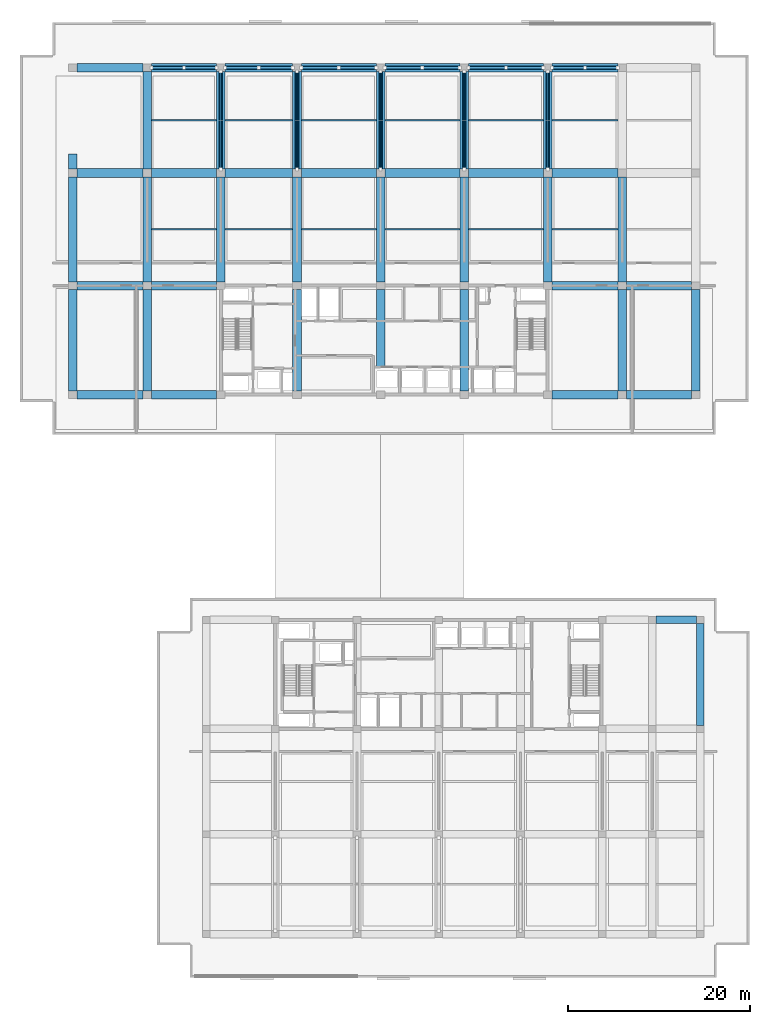
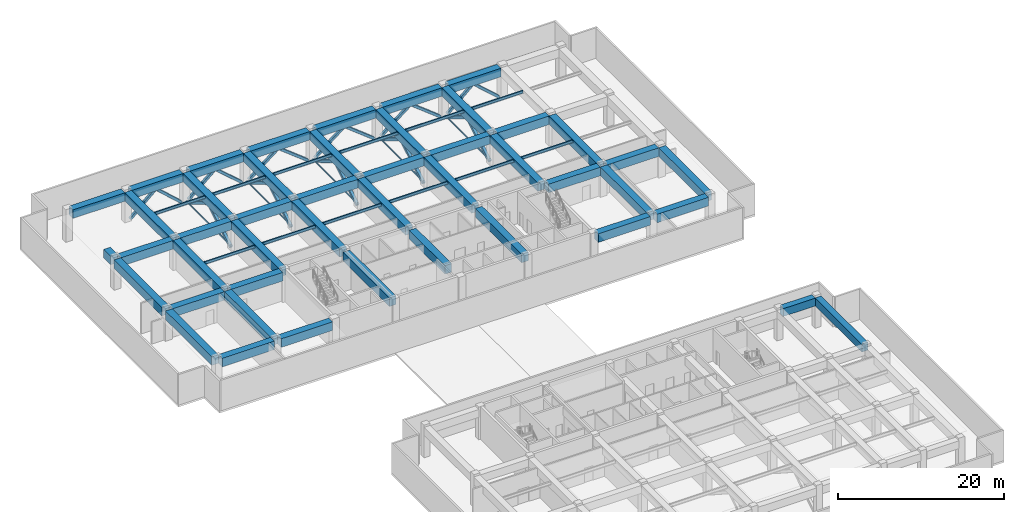
# One storey, part 2 of 22: 58 beams, 27 members.
"""IFC4 building model written with IfcOpenShell, lengths in metres."""

from ifc_helpers import new_model, si_unit, direction, frame, origin, origin_2d, place, context, subcontext, project, spatial, rectangle, hollow_rectangle, i_section, extrude, material, material_profile, profile_set, type_object, element, save


model = new_model("IFC4")

# Units and contexts
model_context = context("Model", 3, precision=1e-05, world=origin(), true_north=direction((0.0, 1.0)))
body_context = subcontext(model_context, "Body", "Model", "MODEL_VIEW")
ifc_project = project(units=[si_unit("LENGTHUNIT", "METRE"), si_unit("AREAUNIT", "SQUARE_METRE"), si_unit("VOLUMEUNIT", "CUBIC_METRE"), si_unit("PLANEANGLEUNIT", "RADIAN"), si_unit("MASSUNIT", "GRAM", prefix="KILO")], contexts=[model_context])

# Site, building, storey
site_placement = place(None, origin())
site = spatial("IfcSite", under=ifc_project, at=site_placement, CompositionType="ELEMENT")
building_placement = place(site_placement, origin())
building = spatial("IfcBuilding", under=site, at=building_placement, Name="Korimba Cascade Residences", CompositionType="ELEMENT")
storey_placement = place(building_placement, frame((0.0, 0.0, 157.300048828125)))
storey = spatial("IfcBuildingStorey", under=building, at=storey_placement, Name="L45", CompositionType="ELEMENT", Elevation=157.300048828125)

# Beams
ifc_material_1 = material(Name="Steel S355", Category="steel")
ifc_material_profile_1 = material_profile(ifc_material_1, i_section(OverallWidth=0.1787109375, OverallDepth=0.409423828125, WebThickness=0.0087890625, FlangeThickness=0.014404296875, FilletRadius=0.01025390625, at=origin_2d()), Name="Steel S355")
ifc_profile_set_1 = profile_set([ifc_material_profile_1], Name="Steel S355")
beam_type_1 = type_object("IfcBeamType", Name="BM-STL-UB406", PredefinedType="JOIST", material=ifc_profile_set_1)
beam_1_placement = place(storey_placement, frame((68.47509765625, 73.39990234375, 4.275146484375), z_axis=(1.0, 0.0, 0.0), x_axis=(0.0, 1.0, 0.0)))
element("IfcBeam", 1, at=beam_1_placement, inside=storey, type_object=beam_type_1, Name="L45 T1 Floor Joist 1.2", PredefinedType="JOIST", context=body_context, shape_type="SweptSolid", body=[
    extrude(i_section(OverallWidth=0.1787109375, OverallDepth=0.409423828125, WebThickness=0.0087890625, FlangeThickness=0.014404296875, FilletRadius=0.01025390625, at=origin_2d()), origin(), (0.0, 0.0, 1.0), 7.14990234375),
])
beam_2_placement = place(storey_placement, frame((76.574951171875, 73.39990234375, 4.275146484375), z_axis=(1.0, 0.0, 0.0), x_axis=(0.0, 1.0, 0.0)))
element("IfcBeam", 2, at=beam_2_placement, inside=storey, type_object=beam_type_1, Name="L45 T1 Floor Joist 1.3", PredefinedType="JOIST", context=body_context, shape_type="SweptSolid", body=[
    extrude(i_section(OverallWidth=0.1787109375, OverallDepth=0.409423828125, WebThickness=0.0087890625, FlangeThickness=0.014404296875, FilletRadius=0.01025390625, at=origin_2d()), origin(), (0.0, 0.0, 1.0), 7.449951171875),
])
for number, where, z_axis, x_axis, name in (
    (3, (84.97509765625, 73.39990234375, 4.275146484375), (1.0, 0.0, 0.0), (0.0, 1.0, 0.0), "L45 T1 Floor Joist 1.4"),
    (4, (94.175048828125, 73.39990234375, 4.275146484375), (1.0, 0.0, 0.0), (0.0, 1.0, 0.0), "L45 T1 Floor Joist 1.5"),
    (5, (103.375, 73.39990234375, 4.275146484375), (1.0, 0.0, 0.0), (0.0, 1.0, 0.0), "L45 T1 Floor Joist 1.6"),
):
    element("IfcBeam", number, at=place(storey_placement, frame(where, z_axis=z_axis, x_axis=x_axis)), inside=storey, type_object=beam_type_1, Name=name, PredefinedType="JOIST", context=body_context, shape_type="SweptSolid", body=[
        extrude(i_section(OverallWidth=0.1787109375, OverallDepth=0.409423828125, WebThickness=0.0087890625, FlangeThickness=0.014404296875, FilletRadius=0.01025390625, at=origin_2d()), origin(), (0.0, 0.0, 1.0), 8.25),
    ])
beam_3_placement = place(storey_placement, frame((112.574951171875, 73.39990234375, 4.275146484375), z_axis=(1.0, 0.0, 0.0), x_axis=(0.0, 1.0, 0.0)))
element("IfcBeam", 6, at=beam_3_placement, inside=storey, type_object=beam_type_1, Name="L45 T1 Floor Joist 1.7", PredefinedType="JOIST", context=body_context, shape_type="SweptSolid", body=[
    extrude(i_section(OverallWidth=0.1787109375, OverallDepth=0.409423828125, WebThickness=0.0087890625, FlangeThickness=0.014404296875, FilletRadius=0.01025390625, at=origin_2d()), origin(), (0.0, 0.0, 1.0), 7.25),
])
beam_4_placement = place(storey_placement, frame((68.47509765625, 85.39990234375, 4.275146484375), z_axis=(1.0, 0.0, 0.0), x_axis=(0.0, 1.0, 0.0)))
element("IfcBeam", 7, at=beam_4_placement, inside=storey, type_object=beam_type_1, Name="L45 T1 Floor Joist 2.2", PredefinedType="JOIST", context=body_context, shape_type="SweptSolid", body=[
    extrude(i_section(OverallWidth=0.1787109375, OverallDepth=0.409423828125, WebThickness=0.0087890625, FlangeThickness=0.014404296875, FilletRadius=0.01025390625, at=origin_2d()), origin(), (0.0, 0.0, 1.0), 7.14990234375),
])
beam_5_placement = place(storey_placement, frame((76.574951171875, 85.39990234375, 4.275146484375), z_axis=(1.0, 0.0, 0.0), x_axis=(0.0, 1.0, 0.0)))
element("IfcBeam", 8, at=beam_5_placement, inside=storey, type_object=beam_type_1, Name="L45 T1 Floor Joist 2.3", PredefinedType="JOIST", context=body_context, shape_type="SweptSolid", body=[
    extrude(i_section(OverallWidth=0.1787109375, OverallDepth=0.409423828125, WebThickness=0.0087890625, FlangeThickness=0.014404296875, FilletRadius=0.01025390625, at=origin_2d()), origin(), (0.0, 0.0, 1.0), 7.449951171875),
])
for number, where, z_axis, x_axis, name in (
    (9, (84.97509765625, 85.39990234375, 4.275146484375), (1.0, 0.0, 0.0), (0.0, 1.0, 0.0), "L45 T1 Floor Joist 2.4"),
    (10, (94.175048828125, 85.39990234375, 4.275146484375), (1.0, 0.0, 0.0), (0.0, 1.0, 0.0), "L45 T1 Floor Joist 2.5"),
    (11, (103.375, 85.39990234375, 4.275146484375), (1.0, 0.0, 0.0), (0.0, 1.0, 0.0), "L45 T1 Floor Joist 2.6"),
):
    element("IfcBeam", number, at=place(storey_placement, frame(where, z_axis=z_axis, x_axis=x_axis)), inside=storey, type_object=beam_type_1, Name=name, PredefinedType="JOIST", context=body_context, shape_type="SweptSolid", body=[
        extrude(i_section(OverallWidth=0.1787109375, OverallDepth=0.409423828125, WebThickness=0.0087890625, FlangeThickness=0.014404296875, FilletRadius=0.01025390625, at=origin_2d()), origin(), (0.0, 0.0, 1.0), 8.25),
    ])
beam_6_placement = place(storey_placement, frame((112.574951171875, 85.39990234375, 4.275146484375), z_axis=(1.0, 0.0, 0.0), x_axis=(0.0, 1.0, 0.0)))
element("IfcBeam", 12, at=beam_6_placement, inside=storey, type_object=beam_type_1, Name="L45 T1 Floor Joist 2.7", PredefinedType="JOIST", context=body_context, shape_type="SweptSolid", body=[
    extrude(i_section(OverallWidth=0.1787109375, OverallDepth=0.409423828125, WebThickness=0.0087890625, FlangeThickness=0.014404296875, FilletRadius=0.01025390625, at=origin_2d()), origin(), (0.0, 0.0, 1.0), 7.25),
])
ifc_material_2 = material(Name="Concrete C65/80", Category="concrete")
ifc_material_profile_2 = material_profile(ifc_material_2, rectangle(XDim=0.85009765625, YDim=1.14990234375, at=origin_2d()), Name="Concrete C65/80")
ifc_profile_set_2 = profile_set([ifc_material_profile_2], Name="Concrete C65/80")
beam_type_2 = type_object("IfcBeamType", Name="BM-TRF-1150", PredefinedType="T_BEAM", material=ifc_profile_set_2)
beam_7_placement = place(storey_placement, frame((124.02490234375, 30.39990234375, 3.905029296875), z_axis=(1.0, 0.0, 0.0), x_axis=(0.0, 1.0, 0.0)))
element("IfcBeam", 13, at=beam_7_placement, inside=storey, type_object=beam_type_2, Name="L45 T2 E-W Girder Y4 Bay 7", PredefinedType="T_BEAM", context=body_context, shape_type="SweptSolid", body=[
    extrude(rectangle(XDim=0.85009765625, YDim=1.14990234375, at=origin_2d()), origin(), (0.0, 0.0, 1.0), 4.4501953125),
])
beam_8_placement = place(storey_placement, frame((128.89990234375, 18.77490234375, 3.905029296875), z_axis=(0.0, 1.0, 0.0), x_axis=(-1.0, 0.0, 0.0)))
element("IfcBeam", 14, at=beam_8_placement, inside=storey, type_object=beam_type_2, Name="L45 T2 N-S Girder X8 Seg 3", PredefinedType="T_BEAM", context=body_context, shape_type="SweptSolid", body=[
    extrude(rectangle(XDim=0.85009765625, YDim=1.14990234375, at=origin_2d()), origin(), (0.0, 0.0, 1.0), 11.25),
])
ifc_material_profile_3 = material_profile(ifc_material_2, rectangle(XDim=0.949951171875, YDim=1.25, at=origin_2d()), Name="Concrete C65/80")
ifc_profile_set_3 = profile_set([ifc_material_profile_3], Name="Concrete C65/80")
beam_type_3 = type_object("IfcBeamType", Name="BM-TRF-1250", PredefinedType="T_BEAM", material=ifc_profile_set_3)
beam_9_placement = place(storey_placement, frame((60.27490234375, 55.199951171875, 3.85498046875), z_axis=(1.0, 0.0, 0.0), x_axis=(0.0, 1.0, 0.0)))
element("IfcBeam", 15, at=beam_9_placement, inside=storey, type_object=beam_type_3, Name="L45 T1 E-W Girder Y1 Bay 1", PredefinedType="T_BEAM", context=body_context, shape_type="SweptSolid", body=[
    extrude(rectangle(XDim=0.949951171875, YDim=1.25, at=origin_2d()), origin(), (0.0, 0.0, 1.0), 7.25),
])
beam_10_placement = place(storey_placement, frame((68.47509765625, 55.199951171875, 3.85498046875), z_axis=(1.0, 0.0, 0.0), x_axis=(0.0, 1.0, 0.0)))
element("IfcBeam", 16, at=beam_10_placement, inside=storey, type_object=beam_type_3, Name="L45 T1 E-W Girder Y1 Bay 2", PredefinedType="T_BEAM", context=body_context, shape_type="SweptSolid", body=[
    extrude(rectangle(XDim=0.949951171875, YDim=1.25, at=origin_2d()), origin(), (0.0, 0.0, 1.0), 7.14990234375),
])
beam_11_placement = place(storey_placement, frame((112.574951171875, 55.199951171875, 3.85498046875), z_axis=(1.0, 0.0, 0.0), x_axis=(0.0, 1.0, 0.0)))
element("IfcBeam", 17, at=beam_11_placement, inside=storey, type_object=beam_type_3, Name="L45 T1 E-W Girder Y1 Bay 7", PredefinedType="T_BEAM", context=body_context, shape_type="SweptSolid", body=[
    extrude(rectangle(XDim=0.949951171875, YDim=1.25, at=origin_2d()), origin(), (0.0, 0.0, 1.0), 7.25),
])
beam_12_placement = place(storey_placement, frame((120.77490234375, 55.199951171875, 3.85498046875), z_axis=(1.0, 0.0, 0.0), x_axis=(0.0, 1.0, 0.0)))
element("IfcBeam", 18, at=beam_12_placement, inside=storey, type_object=beam_type_3, Name="L45 T1 E-W Girder Y1 Bay 8", PredefinedType="T_BEAM", context=body_context, shape_type="SweptSolid", body=[
    extrude(rectangle(XDim=0.949951171875, YDim=1.25, at=origin_2d()), origin(), (0.0, 0.0, 1.0), 7.150146484375),
])
beam_13_placement = place(storey_placement, frame((60.27490234375, 67.199951171875, 3.85498046875), z_axis=(1.0, 0.0, 0.0), x_axis=(0.0, 1.0, 0.0)))
element("IfcBeam", 19, at=beam_13_placement, inside=storey, type_object=beam_type_3, Name="L45 T1 E-W Girder Y2 Bay 1", PredefinedType="T_BEAM", context=body_context, shape_type="SweptSolid", body=[
    extrude(rectangle(XDim=0.949951171875, YDim=1.25, at=origin_2d()), origin(), (0.0, 0.0, 1.0), 7.25),
])
beam_14_placement = place(storey_placement, frame((68.47509765625, 67.199951171875, 3.85498046875), z_axis=(1.0, 0.0, 0.0), x_axis=(0.0, 1.0, 0.0)))
element("IfcBeam", 20, at=beam_14_placement, inside=storey, type_object=beam_type_3, Name="L45 T1 E-W Girder Y2 Bay 2", PredefinedType="T_BEAM", context=body_context, shape_type="SweptSolid", body=[
    extrude(rectangle(XDim=0.949951171875, YDim=1.25, at=origin_2d()), origin(), (0.0, 0.0, 1.0), 7.14990234375),
])
beam_15_placement = place(storey_placement, frame((112.574951171875, 67.199951171875, 3.85498046875), z_axis=(1.0, 0.0, 0.0), x_axis=(0.0, 1.0, 0.0)))
element("IfcBeam", 21, at=beam_15_placement, inside=storey, type_object=beam_type_3, Name="L45 T1 E-W Girder Y2 Bay 7", PredefinedType="T_BEAM", context=body_context, shape_type="SweptSolid", body=[
    extrude(rectangle(XDim=0.949951171875, YDim=1.25, at=origin_2d()), origin(), (0.0, 0.0, 1.0), 7.25),
])
beam_16_placement = place(storey_placement, frame((120.77490234375, 67.199951171875, 3.85498046875), z_axis=(1.0, 0.0, 0.0), x_axis=(0.0, 1.0, 0.0)))
element("IfcBeam", 22, at=beam_16_placement, inside=storey, type_object=beam_type_3, Name="L45 T1 E-W Girder Y2 Bay 8", PredefinedType="T_BEAM", context=body_context, shape_type="SweptSolid", body=[
    extrude(rectangle(XDim=0.949951171875, YDim=1.25, at=origin_2d()), origin(), (0.0, 0.0, 1.0), 7.150146484375),
])
beam_17_placement = place(storey_placement, frame((60.27490234375, 79.60009765625, 3.85498046875), z_axis=(1.0, 0.0, 0.0), x_axis=(0.0, 1.0, 0.0)))
element("IfcBeam", 23, at=beam_17_placement, inside=storey, type_object=beam_type_3, Name="L45 T1 E-W Girder Y3 Bay 1", PredefinedType="T_BEAM", context=body_context, shape_type="SweptSolid", body=[
    extrude(rectangle(XDim=0.949951171875, YDim=1.25, at=origin_2d()), origin(), (0.0, 0.0, 1.0), 7.25),
])
beam_18_placement = place(storey_placement, frame((68.47509765625, 79.60009765625, 3.85498046875), z_axis=(1.0, 0.0, 0.0), x_axis=(0.0, 1.0, 0.0)))
element("IfcBeam", 24, at=beam_18_placement, inside=storey, type_object=beam_type_3, Name="L45 T1 E-W Girder Y3 Bay 2", PredefinedType="T_BEAM", context=body_context, shape_type="SweptSolid", body=[
    extrude(rectangle(XDim=0.949951171875, YDim=1.25, at=origin_2d()), origin(), (0.0, 0.0, 1.0), 7.14990234375),
])
beam_19_placement = place(storey_placement, frame((76.574951171875, 79.60009765625, 3.85498046875), z_axis=(1.0, 0.0, 0.0), x_axis=(0.0, 1.0, 0.0)))
element("IfcBeam", 25, at=beam_19_placement, inside=storey, type_object=beam_type_3, Name="L45 T1 E-W Girder Y3 Bay 3", PredefinedType="T_BEAM", context=body_context, shape_type="SweptSolid", body=[
    extrude(rectangle(XDim=0.949951171875, YDim=1.25, at=origin_2d()), origin(), (0.0, 0.0, 1.0), 7.449951171875),
])
for number, where, z_axis, x_axis, name in (
    (26, (84.97509765625, 79.60009765625, 3.85498046875), (1.0, 0.0, 0.0), (0.0, 1.0, 0.0), "L45 T1 E-W Girder Y3 Bay 4"),
    (27, (94.175048828125, 79.60009765625, 3.85498046875), (1.0, 0.0, 0.0), (0.0, 1.0, 0.0), "L45 T1 E-W Girder Y3 Bay 5"),
    (28, (103.375, 79.60009765625, 3.85498046875), (1.0, 0.0, 0.0), (0.0, 1.0, 0.0), "L45 T1 E-W Girder Y3 Bay 6"),
):
    element("IfcBeam", number, at=place(storey_placement, frame(where, z_axis=z_axis, x_axis=x_axis)), inside=storey, type_object=beam_type_3, Name=name, PredefinedType="T_BEAM", context=body_context, shape_type="SweptSolid", body=[
        extrude(rectangle(XDim=0.949951171875, YDim=1.25, at=origin_2d()), origin(), (0.0, 0.0, 1.0), 8.25),
    ])
for number, where, z_axis, x_axis, name in (
    (29, (112.574951171875, 79.60009765625, 3.85498046875), (1.0, 0.0, 0.0), (0.0, 1.0, 0.0), "L45 T1 E-W Girder Y3 Bay 7"),
    (30, (60.27490234375, 91.199951171875, 3.85498046875), (1.0, 0.0, 0.0), (0.0, 1.0, 0.0), "L45 T1 E-W Girder Y4 Bay 1"),
):
    element("IfcBeam", number, at=place(storey_placement, frame(where, z_axis=z_axis, x_axis=x_axis)), inside=storey, type_object=beam_type_3, Name=name, PredefinedType="T_BEAM", context=body_context, shape_type="SweptSolid", body=[
        extrude(rectangle(XDim=0.949951171875, YDim=1.25, at=origin_2d()), origin(), (0.0, 0.0, 1.0), 7.25),
    ])
beam_20_placement = place(storey_placement, frame((68.47509765625, 91.199951171875, 3.85498046875), z_axis=(1.0, 0.0, 0.0), x_axis=(0.0, 1.0, 0.0)))
element("IfcBeam", 31, at=beam_20_placement, inside=storey, type_object=beam_type_3, Name="L45 T1 E-W Girder Y4 Bay 2", PredefinedType="T_BEAM", context=body_context, shape_type="SweptSolid", body=[
    extrude(rectangle(XDim=0.949951171875, YDim=1.25, at=origin_2d()), origin(), (0.0, 0.0, 1.0), 7.14990234375),
])
beam_21_placement = place(storey_placement, frame((76.574951171875, 91.199951171875, 3.85498046875), z_axis=(1.0, 0.0, 0.0), x_axis=(0.0, 1.0, 0.0)))
element("IfcBeam", 32, at=beam_21_placement, inside=storey, type_object=beam_type_3, Name="L45 T1 E-W Girder Y4 Bay 3", PredefinedType="T_BEAM", context=body_context, shape_type="SweptSolid", body=[
    extrude(rectangle(XDim=0.949951171875, YDim=1.25, at=origin_2d()), origin(), (0.0, 0.0, 1.0), 7.449951171875),
])
for number, where, z_axis, x_axis, name in (
    (33, (84.97509765625, 91.199951171875, 3.85498046875), (1.0, 0.0, 0.0), (0.0, 1.0, 0.0), "L45 T1 E-W Girder Y4 Bay 4"),
    (34, (94.175048828125, 91.199951171875, 3.85498046875), (1.0, 0.0, 0.0), (0.0, 1.0, 0.0), "L45 T1 E-W Girder Y4 Bay 5"),
    (35, (103.375, 91.199951171875, 3.85498046875), (1.0, 0.0, 0.0), (0.0, 1.0, 0.0), "L45 T1 E-W Girder Y4 Bay 6"),
):
    element("IfcBeam", number, at=place(storey_placement, frame(where, z_axis=z_axis, x_axis=x_axis)), inside=storey, type_object=beam_type_3, Name=name, PredefinedType="T_BEAM", context=body_context, shape_type="SweptSolid", body=[
        extrude(rectangle(XDim=0.949951171875, YDim=1.25, at=origin_2d()), origin(), (0.0, 0.0, 1.0), 8.25),
    ])
beam_22_placement = place(storey_placement, frame((112.574951171875, 91.199951171875, 3.85498046875), z_axis=(1.0, 0.0, 0.0), x_axis=(0.0, 1.0, 0.0)))
element("IfcBeam", 36, at=beam_22_placement, inside=storey, type_object=beam_type_3, Name="L45 T1 E-W Girder Y4 Bay 7", PredefinedType="T_BEAM", context=body_context, shape_type="SweptSolid", body=[
    extrude(rectangle(XDim=0.949951171875, YDim=1.25, at=origin_2d()), origin(), (0.0, 0.0, 1.0), 7.25),
])
beam_23_placement = place(storey_placement, frame((59.800048828125, 55.625, 3.85498046875), z_axis=(0.0, 1.0, 0.0), x_axis=(-1.0, 0.0, 0.0)))
element("IfcBeam", 37, at=beam_23_placement, inside=storey, type_object=beam_type_3, Name="L45 T1 N-S Girder X1 Seg 1", PredefinedType="T_BEAM", context=body_context, shape_type="SweptSolid", body=[
    extrude(rectangle(XDim=0.949951171875, YDim=1.25, at=origin_2d()), origin(), (0.0, 0.0, 1.0), 11.14990234375),
])
beam_24_placement = place(storey_placement, frame((59.800048828125, 67.625, 3.85498046875), z_axis=(0.0, 1.0, 0.0), x_axis=(-1.0, 0.0, 0.0)))
element("IfcBeam", 38, at=beam_24_placement, inside=storey, type_object=beam_type_3, Name="L45 T1 N-S Girder X1 Seg 2", PredefinedType="T_BEAM", context=body_context, shape_type="SweptSolid", body=[
    extrude(rectangle(XDim=0.949951171875, YDim=1.25, at=origin_2d()), origin(), (0.0, 0.0, 1.0), 11.550048828125),
])
beam_25_placement = place(storey_placement, frame((59.800048828125, 80.02490234375, 3.85498046875), z_axis=(0.0, 1.0, 0.0), x_axis=(-1.0, 0.0, 0.0)))
element("IfcBeam", 39, at=beam_25_placement, inside=storey, type_object=beam_type_3, Name="L45 T1 N-S Girder X1 Seg 3", PredefinedType="T_BEAM", context=body_context, shape_type="SweptSolid", body=[
    extrude(rectangle(XDim=0.949951171875, YDim=1.25, at=origin_2d()), origin(), (0.0, 0.0, 1.0), 1.675048828125),
])
beam_26_placement = place(storey_placement, frame((68.0, 55.625, 3.85498046875), z_axis=(0.0, 1.0, 0.0), x_axis=(-1.0, 0.0, 0.0)))
element("IfcBeam", 40, at=beam_26_placement, inside=storey, type_object=beam_type_3, Name="L45 T1 N-S Girder X2 Seg 1", PredefinedType="T_BEAM", context=body_context, shape_type="SweptSolid", body=[
    extrude(rectangle(XDim=0.949951171875, YDim=1.25, at=origin_2d()), origin(), (0.0, 0.0, 1.0), 11.14990234375),
])
beam_27_placement = place(storey_placement, frame((68.0, 67.625, 3.85498046875), z_axis=(0.0, 1.0, 0.0), x_axis=(-1.0, 0.0, 0.0)))
element("IfcBeam", 41, at=beam_27_placement, inside=storey, type_object=beam_type_3, Name="L45 T1 N-S Girder X2 Seg 2", PredefinedType="T_BEAM", context=body_context, shape_type="SweptSolid", body=[
    extrude(rectangle(XDim=0.949951171875, YDim=1.25, at=origin_2d()), origin(), (0.0, 0.0, 1.0), 11.550048828125),
])
beam_28_placement = place(storey_placement, frame((68.0, 80.02490234375, 3.85498046875), z_axis=(0.0, 1.0, 0.0), x_axis=(-1.0, 0.0, 0.0)))
element("IfcBeam", 42, at=beam_28_placement, inside=storey, type_object=beam_type_3, Name="L45 T1 N-S Girder X2 Seg 3", PredefinedType="T_BEAM", context=body_context, shape_type="SweptSolid", body=[
    extrude(rectangle(XDim=0.949951171875, YDim=1.25, at=origin_2d()), origin(), (0.0, 0.0, 1.0), 10.75),
])
beam_29_placement = place(storey_placement, frame((76.10009765625, 67.625, 3.85498046875), z_axis=(0.0, 1.0, 0.0), x_axis=(-1.0, 0.0, 0.0)))
element("IfcBeam", 43, at=beam_29_placement, inside=storey, type_object=beam_type_3, Name="L45 T1 N-S Girder X3 Seg 2", PredefinedType="T_BEAM", context=body_context, shape_type="SweptSolid", body=[
    extrude(rectangle(XDim=0.949951171875, YDim=1.25, at=origin_2d()), origin(), (0.0, 0.0, 1.0), 11.550048828125),
])
beam_30_placement = place(storey_placement, frame((76.10009765625, 80.02490234375, 3.85498046875), z_axis=(0.0, 1.0, 0.0), x_axis=(-1.0, 0.0, 0.0)))
element("IfcBeam", 44, at=beam_30_placement, inside=storey, type_object=beam_type_3, Name="L45 T1 N-S Girder X3 Seg 3", PredefinedType="T_BEAM", context=body_context, shape_type="SweptSolid", body=[
    extrude(rectangle(XDim=0.949951171875, YDim=1.25, at=origin_2d()), origin(), (0.0, 0.0, 1.0), 10.75),
])
beam_31_placement = place(storey_placement, frame((84.5, 55.625, 3.85498046875), z_axis=(0.0, 1.0, 0.0), x_axis=(-1.0, 0.0, 0.0)))
element("IfcBeam", 45, at=beam_31_placement, inside=storey, type_object=beam_type_3, Name="L45 T1 N-S Girder X4 Seg 1", PredefinedType="T_BEAM", context=body_context, shape_type="SweptSolid", body=[
    extrude(rectangle(XDim=0.949951171875, YDim=1.25, at=origin_2d()), origin(), (0.0, 0.0, 1.0), 11.14990234375),
])
beam_32_placement = place(storey_placement, frame((84.5, 67.625, 3.85498046875), z_axis=(0.0, 1.0, 0.0), x_axis=(-1.0, 0.0, 0.0)))
element("IfcBeam", 46, at=beam_32_placement, inside=storey, type_object=beam_type_3, Name="L45 T1 N-S Girder X4 Seg 2", PredefinedType="T_BEAM", context=body_context, shape_type="SweptSolid", body=[
    extrude(rectangle(XDim=0.949951171875, YDim=1.25, at=origin_2d()), origin(), (0.0, 0.0, 1.0), 11.550048828125),
])
beam_33_placement = place(storey_placement, frame((84.5, 80.02490234375, 3.85498046875), z_axis=(0.0, 1.0, 0.0), x_axis=(-1.0, 0.0, 0.0)))
element("IfcBeam", 47, at=beam_33_placement, inside=storey, type_object=beam_type_3, Name="L45 T1 N-S Girder X4 Seg 3", PredefinedType="T_BEAM", context=body_context, shape_type="SweptSolid", body=[
    extrude(rectangle(XDim=0.949951171875, YDim=1.25, at=origin_2d()), origin(), (0.0, 0.0, 1.0), 10.75),
])
beam_34_placement = place(storey_placement, frame((93.699951171875, 58.159912109375, 3.85498046875), z_axis=(0.0, 1.0, 0.0), x_axis=(-1.0, 0.0, 0.0)))
element("IfcBeam", 48, at=beam_34_placement, inside=storey, type_object=beam_type_3, Name="L45 T1 N-S Girder X5 Seg 1", PredefinedType="T_BEAM", context=body_context, shape_type="SweptSolid", body=[
    extrude(rectangle(XDim=0.949951171875, YDim=1.25, at=origin_2d()), origin(), (0.0, 0.0, 1.0), 8.614990234375),
])
beam_35_placement = place(storey_placement, frame((93.699951171875, 67.625, 3.85498046875), z_axis=(0.0, 1.0, 0.0), x_axis=(-1.0, 0.0, 0.0)))
element("IfcBeam", 49, at=beam_35_placement, inside=storey, type_object=beam_type_3, Name="L45 T1 N-S Girder X5 Seg 2", PredefinedType="T_BEAM", context=body_context, shape_type="SweptSolid", body=[
    extrude(rectangle(XDim=0.949951171875, YDim=1.25, at=origin_2d()), origin(), (0.0, 0.0, 1.0), 11.550048828125),
])
beam_36_placement = place(storey_placement, frame((93.699951171875, 80.02490234375, 3.85498046875), z_axis=(0.0, 1.0, 0.0), x_axis=(-1.0, 0.0, 0.0)))
element("IfcBeam", 50, at=beam_36_placement, inside=storey, type_object=beam_type_3, Name="L45 T1 N-S Girder X5 Seg 3", PredefinedType="T_BEAM", context=body_context, shape_type="SweptSolid", body=[
    extrude(rectangle(XDim=0.949951171875, YDim=1.25, at=origin_2d()), origin(), (0.0, 0.0, 1.0), 10.75),
])
beam_37_placement = place(storey_placement, frame((102.89990234375, 55.625, 3.85498046875), z_axis=(0.0, 1.0, 0.0), x_axis=(-1.0, 0.0, 0.0)))
element("IfcBeam", 51, at=beam_37_placement, inside=storey, type_object=beam_type_3, Name="L45 T1 N-S Girder X6 Seg 1", PredefinedType="T_BEAM", context=body_context, shape_type="SweptSolid", body=[
    extrude(rectangle(XDim=0.949951171875, YDim=1.25, at=origin_2d()), origin(), (0.0, 0.0, 1.0), 11.14990234375),
])
beam_38_placement = place(storey_placement, frame((102.89990234375, 67.625, 3.85498046875), z_axis=(0.0, 1.0, 0.0), x_axis=(-1.0, 0.0, 0.0)))
element("IfcBeam", 52, at=beam_38_placement, inside=storey, type_object=beam_type_3, Name="L45 T1 N-S Girder X6 Seg 2", PredefinedType="T_BEAM", context=body_context, shape_type="SweptSolid", body=[
    extrude(rectangle(XDim=0.949951171875, YDim=1.25, at=origin_2d()), origin(), (0.0, 0.0, 1.0), 11.550048828125),
])
beam_39_placement = place(storey_placement, frame((102.89990234375, 80.02490234375, 3.85498046875), z_axis=(0.0, 1.0, 0.0), x_axis=(-1.0, 0.0, 0.0)))
element("IfcBeam", 53, at=beam_39_placement, inside=storey, type_object=beam_type_3, Name="L45 T1 N-S Girder X6 Seg 3", PredefinedType="T_BEAM", context=body_context, shape_type="SweptSolid", body=[
    extrude(rectangle(XDim=0.949951171875, YDim=1.25, at=origin_2d()), origin(), (0.0, 0.0, 1.0), 10.75),
])
beam_40_placement = place(storey_placement, frame((112.10009765625, 67.625, 3.85498046875), z_axis=(0.0, 1.0, 0.0), x_axis=(-1.0, 0.0, 0.0)))
element("IfcBeam", 54, at=beam_40_placement, inside=storey, type_object=beam_type_3, Name="L45 T1 N-S Girder X7 Seg 2", PredefinedType="T_BEAM", context=body_context, shape_type="SweptSolid", body=[
    extrude(rectangle(XDim=0.949951171875, YDim=1.25, at=origin_2d()), origin(), (0.0, 0.0, 1.0), 11.550048828125),
])
beam_41_placement = place(storey_placement, frame((112.10009765625, 80.02490234375, 3.85498046875), z_axis=(0.0, 1.0, 0.0), x_axis=(-1.0, 0.0, 0.0)))
element("IfcBeam", 55, at=beam_41_placement, inside=storey, type_object=beam_type_3, Name="L45 T1 N-S Girder X7 Seg 3", PredefinedType="T_BEAM", context=body_context, shape_type="SweptSolid", body=[
    extrude(rectangle(XDim=0.949951171875, YDim=1.25, at=origin_2d()), origin(), (0.0, 0.0, 1.0), 10.75),
])
beam_42_placement = place(storey_placement, frame((120.300048828125, 55.625, 3.85498046875), z_axis=(0.0, 1.0, 0.0), x_axis=(-1.0, 0.0, 0.0)))
element("IfcBeam", 56, at=beam_42_placement, inside=storey, type_object=beam_type_3, Name="L45 T1 N-S Girder X8 Seg 1", PredefinedType="T_BEAM", context=body_context, shape_type="SweptSolid", body=[
    extrude(rectangle(XDim=0.949951171875, YDim=1.25, at=origin_2d()), origin(), (0.0, 0.0, 1.0), 11.14990234375),
])
beam_43_placement = place(storey_placement, frame((120.300048828125, 67.625, 3.85498046875), z_axis=(0.0, 1.0, 0.0), x_axis=(-1.0, 0.0, 0.0)))
element("IfcBeam", 57, at=beam_43_placement, inside=storey, type_object=beam_type_3, Name="L45 T1 N-S Girder X8 Seg 2", PredefinedType="T_BEAM", context=body_context, shape_type="SweptSolid", body=[
    extrude(rectangle(XDim=0.949951171875, YDim=1.25, at=origin_2d()), origin(), (0.0, 0.0, 1.0), 11.550048828125),
])
beam_44_placement = place(storey_placement, frame((128.39990234375, 55.625, 3.85498046875), z_axis=(0.0, 1.0, 0.0), x_axis=(-1.0, 0.0, 0.0)))
element("IfcBeam", 58, at=beam_44_placement, inside=storey, type_object=beam_type_3, Name="L45 T1 N-S Girder X9 Seg 1", PredefinedType="T_BEAM", context=body_context, shape_type="SweptSolid", body=[
    extrude(rectangle(XDim=0.949951171875, YDim=1.25, at=origin_2d()), origin(), (0.0, 0.0, 1.0), 11.14990234375),
])

# Members
ifc_material_3 = material(Name="Steel S460", Category="steel")
ifc_material_profile_4 = material_profile(ifc_material_3, hollow_rectangle(XDim=0.35009765625, YDim=0.35009765625, WallThickness=0.01611328125, InnerFilletRadius=0.01611328125, OuterFilletRadius=0.031982421875, at=origin_2d()), Name="Steel S460")
ifc_profile_set_4 = profile_set([ifc_material_profile_4], Name="Steel S460")
member_type_1 = type_object("IfcMemberType", Name="MEM-BLT-SHS350", PredefinedType="BRACE", material=ifc_profile_set_4)
for number, where, z_axis, x_axis, name in (
    (59, (68.47509765625, 91.199951171875, 0.0), (0.742000185231, 0.0, 0.670399675654), (0.0, 1.0, 0.0), "L45 T1 Belt Chevron 1A"),
    (60, (75.625, 91.199951171875, 0.0), (-0.742000185231, 0.0, 0.670399675654), (0.0, -1.0, 0.0), "L45 T1 Belt Chevron 1B"),
):
    element("IfcMember", number, at=place(storey_placement, frame(where, z_axis=z_axis, x_axis=x_axis)), inside=storey, type_object=member_type_1, Name=name, PredefinedType="BRACE", context=body_context, shape_type="SweptSolid", body=[
        extrude(hollow_rectangle(XDim=0.35009765625, YDim=0.35009765625, WallThickness=0.01611328125, InnerFilletRadius=0.01611328125, OuterFilletRadius=0.031982421875, at=origin_2d()), origin(), (0.0, 0.0, 1.0), 4.81787109375),
    ])
member_1_placement = place(storey_placement, frame((76.574951171875, 91.199951171875, 0.0), z_axis=(0.755532215014, 0.0, 0.655111495912), x_axis=(0.0, 1.0, 0.0)))
element("IfcMember", 61, at=member_1_placement, inside=storey, type_object=member_type_1, Name="L45 T1 Belt Chevron 2A", PredefinedType="BRACE", context=body_context, shape_type="SweptSolid", body=[
    extrude(hollow_rectangle(XDim=0.35009765625, YDim=0.35009765625, WallThickness=0.01611328125, InnerFilletRadius=0.01611328125, OuterFilletRadius=0.031982421875, at=origin_2d()), origin(), (0.0, 0.0, 1.0), 4.930419921875),
])
member_2_placement = place(storey_placement, frame((84.02490234375, 91.199951171875, 0.0), z_axis=(-0.755510962506, 0.0, 0.655136005371), x_axis=(0.0, -1.0, 0.0)))
element("IfcMember", 62, at=member_2_placement, inside=storey, type_object=member_type_1, Name="L45 T1 Belt Chevron 2B", PredefinedType="BRACE", context=body_context, shape_type="SweptSolid", body=[
    extrude(hollow_rectangle(XDim=0.35009765625, YDim=0.35009765625, WallThickness=0.01611328125, InnerFilletRadius=0.01611328125, OuterFilletRadius=0.031982421875, at=origin_2d()), origin(), (0.0, 0.0, 1.0), 4.93017578125),
])
for number, where, z_axis, x_axis, name in (
    (63, (84.97509765625, 91.199951171875, 0.0), (0.787345673139, 0.0, 0.616511793065), (0.0, 1.0, 0.0), "L45 T1 Belt Chevron 3A"),
    (64, (93.22509765625, 91.199951171875, 0.0), (-0.787345673139, 0.0, 0.616511793065), (0.0, -1.0, 0.0), "L45 T1 Belt Chevron 3B"),
    (65, (94.175048828125, 91.199951171875, 0.0), (0.787345673139, 0.0, 0.616511793065), (0.0, 1.0, 0.0), "L45 T1 Belt Chevron 4A"),
    (66, (102.425048828125, 91.199951171875, 0.0), (-0.787345673139, 0.0, 0.616511793065), (0.0, -1.0, 0.0), "L45 T1 Belt Chevron 4B"),
    (67, (103.375, 91.199951171875, 0.0), (0.787345673139, 0.0, 0.616511793065), (0.0, 1.0, 0.0), "L45 T1 Belt Chevron 5A"),
    (68, (111.625, 91.199951171875, 0.0), (-0.787345673139, 0.0, 0.616511793065), (0.0, -1.0, 0.0), "L45 T1 Belt Chevron 5B"),
):
    element("IfcMember", number, at=place(storey_placement, frame(where, z_axis=z_axis, x_axis=x_axis)), inside=storey, type_object=member_type_1, Name=name, PredefinedType="BRACE", context=body_context, shape_type="SweptSolid", body=[
        extrude(hollow_rectangle(XDim=0.35009765625, YDim=0.35009765625, WallThickness=0.01611328125, InnerFilletRadius=0.01611328125, OuterFilletRadius=0.031982421875, at=origin_2d()), origin(), (0.0, 0.0, 1.0), 5.239013671875),
    ])
for number, where, z_axis, x_axis, name in (
    (69, (112.574951171875, 91.199951171875, 0.0), (0.746615340399, 0.0, 0.66525599094), (0.0, 1.0, 0.0), "L45 T1 Belt Chevron 6A"),
    (70, (119.824951171875, 91.199951171875, 0.0), (-0.746615340399, 0.0, 0.66525599094), (0.0, -1.0, 0.0), "L45 T1 Belt Chevron 6B"),
):
    element("IfcMember", number, at=place(storey_placement, frame(where, z_axis=z_axis, x_axis=x_axis)), inside=storey, type_object=member_type_1, Name=name, PredefinedType="BRACE", context=body_context, shape_type="SweptSolid", body=[
        extrude(hollow_rectangle(XDim=0.35009765625, YDim=0.35009765625, WallThickness=0.01611328125, InnerFilletRadius=0.01611328125, OuterFilletRadius=0.031982421875, at=origin_2d()), origin(), (0.0, 0.0, 1.0), 4.855224609375),
    ])
ifc_material_profile_5 = material_profile(ifc_material_1, hollow_rectangle(XDim=0.10009765625, YDim=0.199951171875, WallThickness=0.008056640625, InnerFilletRadius=0.008056640625, OuterFilletRadius=0.01611328125, at=origin_2d()), Name="Steel S355")
ifc_profile_set_5 = profile_set([ifc_material_profile_5], Name="Steel S355")
member_type_2 = type_object("IfcMemberType", Name="MEM-OUT-RHS200", PredefinedType="CHORD", material=ifc_profile_set_5)
for number, where, z_axis, x_axis, name in (
    (71, (76.10009765625, 80.02490234375, 0.199951171875), (0.0, 1.0, 0.0), (-1.0, 0.0, 0.0), "L45 T1 Outrigger Bottom Tie 1"),
    (72, (84.5, 80.02490234375, 0.199951171875), (0.0, 1.0, 0.0), (-1.0, 0.0, 0.0), "L45 T1 Outrigger Bottom Tie 2"),
    (73, (93.699951171875, 80.02490234375, 0.199951171875), (0.0, 1.0, 0.0), (-1.0, 0.0, 0.0), "L45 T1 Outrigger Bottom Tie 3"),
    (74, (102.89990234375, 80.02490234375, 0.199951171875), (0.0, 1.0, 0.0), (-1.0, 0.0, 0.0), "L45 T1 Outrigger Bottom Tie 4"),
    (75, (112.10009765625, 80.02490234375, 0.199951171875), (0.0, 1.0, 0.0), (-1.0, 0.0, 0.0), "L45 T1 Outrigger Bottom Tie 5"),
):
    element("IfcMember", number, at=place(storey_placement, frame(where, z_axis=z_axis, x_axis=x_axis)), inside=storey, type_object=member_type_2, Name=name, PredefinedType="CHORD", context=body_context, shape_type="SweptSolid", body=[
        extrude(hollow_rectangle(XDim=0.10009765625, YDim=0.199951171875, WallThickness=0.008056640625, InnerFilletRadius=0.008056640625, OuterFilletRadius=0.01611328125, at=origin_2d()), origin(), (0.0, 0.0, 1.0), 10.75),
    ])
ifc_material_profile_6 = material_profile(ifc_material_3, hollow_rectangle(XDim=0.39990234375, YDim=0.39990234375, WallThickness=0.01611328125, InnerFilletRadius=0.01611328125, OuterFilletRadius=0.031982421875, at=origin_2d()), Name="Steel S460")
ifc_profile_set_6 = profile_set([ifc_material_profile_6], Name="Steel S460")
member_type_3 = type_object("IfcMemberType", Name="MEM-OUT-SHS400", PredefinedType="BRACE", material=ifc_profile_set_6)
for number, where, z_axis, x_axis, name in (
    (76, (76.10009765625, 80.02490234375, 0.0), (0.0, 0.857142332547, 0.515079626617), (-1.0, 0.0, 0.0), "L45 T1 Outrigger Chevron 1A"),
    (77, (76.10009765625, 90.77490234375, 0.0), (0.0, -0.857142332547, 0.515079626617), (1.0, 0.0, 0.0), "L45 T1 Outrigger Chevron 1B"),
    (78, (84.5, 80.02490234375, 0.0), (0.0, 0.857142332547, 0.515079626617), (-1.0, 0.0, 0.0), "L45 T1 Outrigger Chevron 2A"),
    (79, (84.5, 90.77490234375, 0.0), (0.0, -0.857142332547, 0.515079626617), (1.0, 0.0, 0.0), "L45 T1 Outrigger Chevron 2B"),
    (80, (93.699951171875, 80.02490234375, 0.0), (0.0, 0.857142332547, 0.515079626617), (-1.0, 0.0, 0.0), "L45 T1 Outrigger Chevron 3A"),
    (81, (93.699951171875, 90.77490234375, 0.0), (0.0, -0.857142332547, 0.515079626617), (1.0, 0.0, 0.0), "L45 T1 Outrigger Chevron 3B"),
    (82, (102.89990234375, 80.02490234375, 0.0), (0.0, 0.857142332547, 0.515079626617), (-1.0, 0.0, 0.0), "L45 T1 Outrigger Chevron 4A"),
    (83, (102.89990234375, 90.77490234375, 0.0), (0.0, -0.857142332547, 0.515079626617), (1.0, 0.0, 0.0), "L45 T1 Outrigger Chevron 4B"),
    (84, (112.10009765625, 80.02490234375, 0.0), (0.0, 0.857142332547, 0.515079626617), (-1.0, 0.0, 0.0), "L45 T1 Outrigger Chevron 5A"),
    (85, (112.10009765625, 90.77490234375, 0.0), (0.0, -0.857142332547, 0.515079626617), (1.0, 0.0, 0.0), "L45 T1 Outrigger Chevron 5B"),
):
    element("IfcMember", number, at=place(storey_placement, frame(where, z_axis=z_axis, x_axis=x_axis)), inside=storey, type_object=member_type_3, Name=name, PredefinedType="BRACE", context=body_context, shape_type="SweptSolid", body=[
        extrude(hollow_rectangle(XDim=0.39990234375, YDim=0.39990234375, WallThickness=0.01611328125, InnerFilletRadius=0.01611328125, OuterFilletRadius=0.031982421875, at=origin_2d()), origin(), (0.0, 0.0, 1.0), 6.270751953125),
    ])

save(model, "model.ifc")
